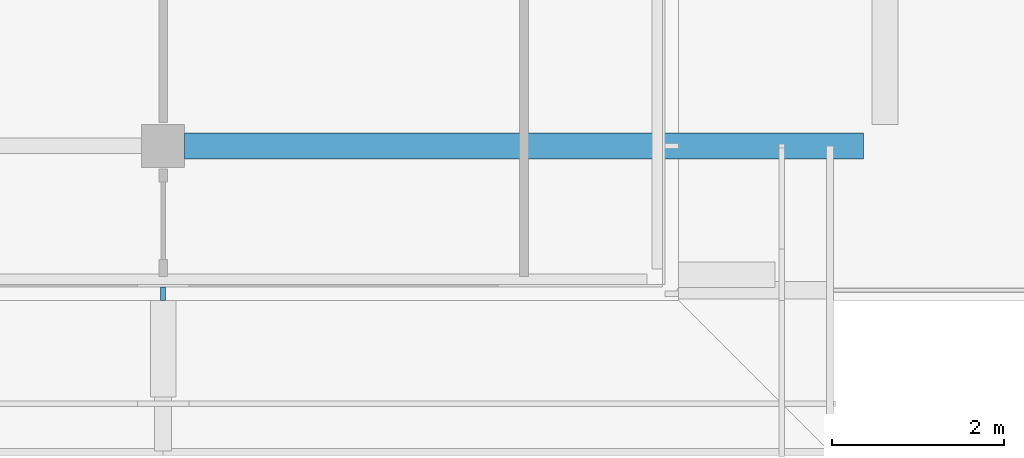
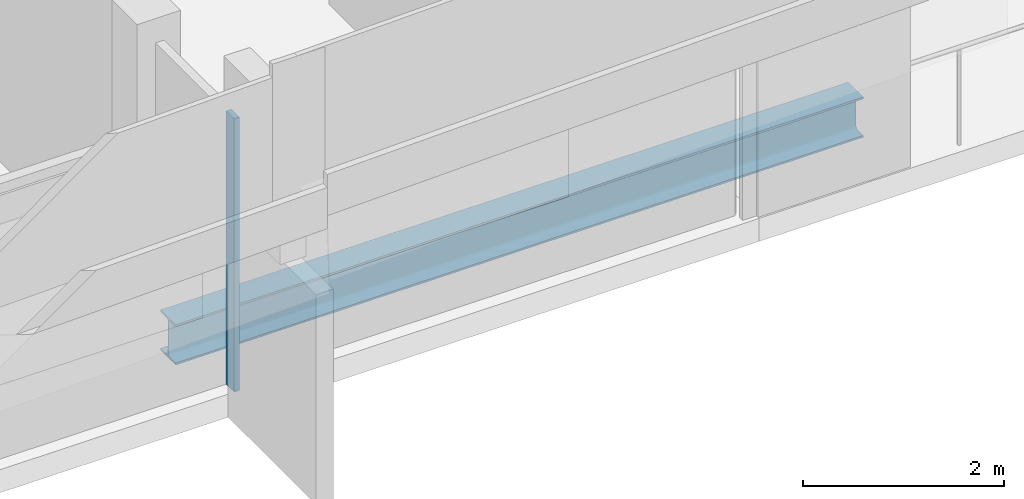
# One storey, part 7 of 29: 1 beam, 1 member, 1 element without a shape of its own.
"""IFC4 building model written with IfcOpenShell, lengths in metres."""

from ifc_helpers import new_model, si_unit, direction, frame, origin, origin_2d, place, context, subcontext, project, spatial, rectangle, i_section, extrude, material, material_profile, profile_set, type_object, element, aggregate, save


model = new_model("IFC4")

# Units and contexts
model_context = context("Model", 3, precision=1e-05, world=origin(), true_north=direction((0.0, 1.0)))
body_context = subcontext(model_context, "Body", "Model", "MODEL_VIEW")
ifc_project = project(units=[si_unit("LENGTHUNIT", "METRE"), si_unit("AREAUNIT", "SQUARE_METRE"), si_unit("VOLUMEUNIT", "CUBIC_METRE"), si_unit("PLANEANGLEUNIT", "RADIAN"), si_unit("MASSUNIT", "GRAM", prefix="KILO")], contexts=[model_context])

# Site, building, storey
site_placement = place(None, origin())
site = spatial("IfcSite", under=ifc_project, at=site_placement, CompositionType="ELEMENT")
building_placement = place(site_placement, origin())
building = spatial("IfcBuilding", under=site, at=building_placement, Name="Saffron Gate Tower", CompositionType="ELEMENT")
storey_placement = place(building_placement, frame((0.0, 0.0, 270.75)))
storey = spatial("IfcBuildingStorey", under=building, at=storey_placement, Name="L65", CompositionType="ELEMENT", Elevation=270.75)

# Beam
ifc_material_1 = material(Name="Structural steel S355", Category="steel")
ifc_material_profile_1 = material_profile(ifc_material_1, i_section(OverallWidth=0.300048828125, OverallDepth=0.489990234375, WebThickness=0.011962890625, FlangeThickness=0.02294921875, FilletRadius=0.027099609375, at=origin_2d()))
ifc_profile_set_1 = profile_set([ifc_material_profile_1], Name="Structural steel S355")
beam_type = type_object("IfcBeamType", Name="B8 HEA 500", PredefinedType="BEAM", material=ifc_profile_set_1)
beam_placement = place(storey_placement, frame((108.85009765625, 31.800048828125, -0.52490234375), z_axis=(1.0, 0.0, 0.0), x_axis=(0.0, 1.0, 0.0)))
element("IfcBeam", 1, at=beam_placement, inside=storey, type_object=beam_type, Name="B8 TERRACE BEAM", PredefinedType="BEAM", context=body_context, shape_type="SweptSolid", body=[
    extrude(i_section(OverallWidth=0.300048828125, OverallDepth=0.489990234375, WebThickness=0.011962890625, FlangeThickness=0.02294921875, FilletRadius=0.027099609375, at=origin_2d()), origin(), (0.0, 0.0, 1.0), 7.89990234375),
])

# Curtain wall, member
ifc_material_2 = material(Name="Aluminium, bronze anodised", Category="aluminium")
curtain_wall_type = type_object("IfcCurtainWallType", Name="CWS1 curtain wall front facade", PredefinedType="NOTDEFINED", material=ifc_material_2)
curtain_wall_placement = place(storey_placement, origin())
curtain_wall = element("IfcCurtainWall", 2, at=curtain_wall_placement, inside=storey, type_object=curtain_wall_type, Name="CWS1 run 1", PredefinedType="NOTDEFINED")
ifc_material_profile_2 = material_profile(ifc_material_2, rectangle(XDim=0.159912109375, YDim=0.06005859375, at=origin_2d()))
ifc_profile_set_2 = profile_set([ifc_material_profile_2], Name="Aluminium, bronze anodised")
member_type = type_object("IfcMemberType", Name="CWS1 mullion 60x160", PredefinedType="MULLION", material=ifc_profile_set_2)
member_placement = place(storey_placement, frame((108.60009765625, 30.080078125, 0.0), z_axis=(0.0, 0.0, 1.0), x_axis=(0.0, 1.0, 0.0)))
member = element("IfcMember", 3, at=member_placement, type_object=member_type, Name="CWS1 mullion 7", PredefinedType="MULLION", context=body_context, shape_type="SweptSolid", body=[
    extrude(rectangle(XDim=0.159912109375, YDim=0.06005859375, at=origin_2d()), origin(), (0.0, 0.0, 1.0), 3.320068359375),
])
aggregate(curtain_wall, [member])

save(model, "model.ifc")
